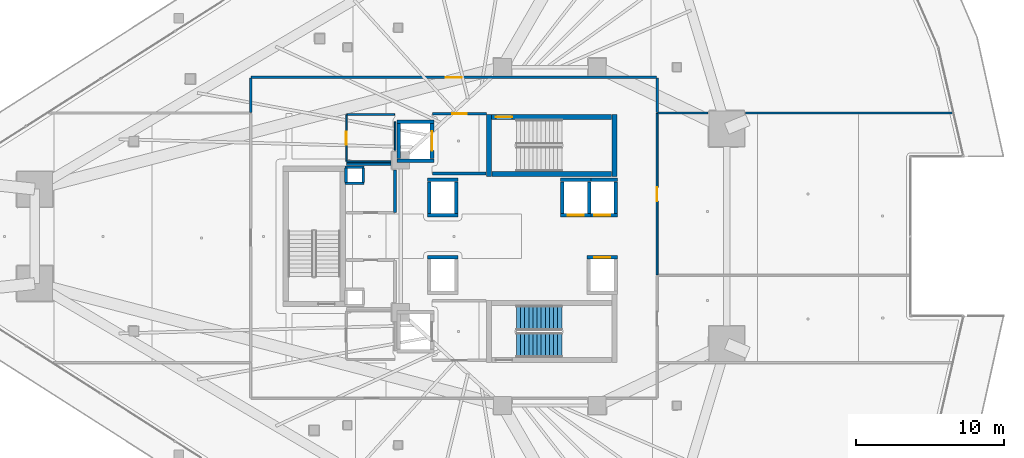
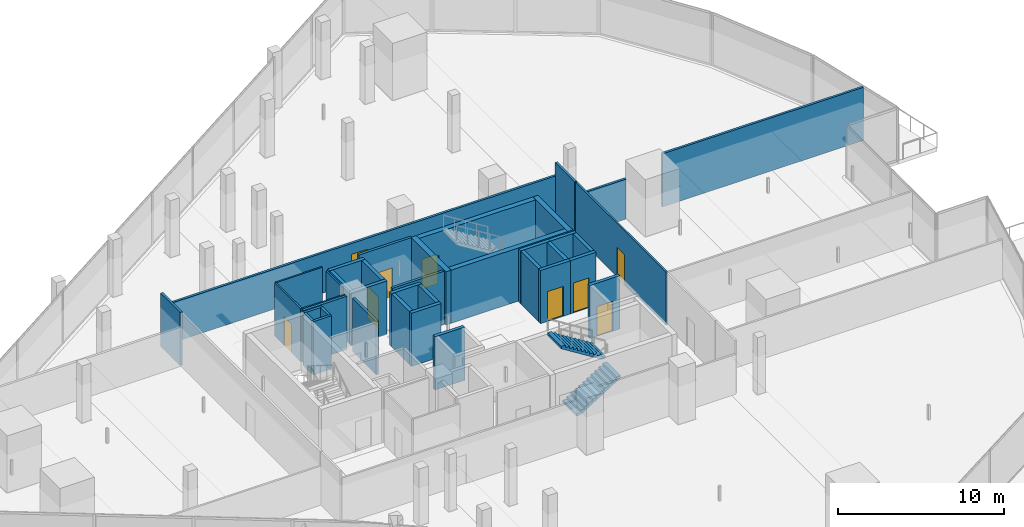
# One storey, part 30 of 42: 39 walls, 9 doors, 2 stair flights, 9 openings, 1 element without a shape of its own.
"""IFC4 building model written with IfcOpenShell, lengths in metres."""

from ifc_helpers import new_model, si_unit, direction, frame, frame_2d, origin, place, context, subcontext, project, spatial, polyline, rectangle, outline, extrude, material, layer, layer_set, type_object, element, fill, aggregate, save


model = new_model("IFC4")

# Units and contexts
model_context = context("Model", 3, precision=1e-05, world=origin(), true_north=direction((0.0, 1.0)))
body_context = subcontext(model_context, "Body", "Model", "MODEL_VIEW")
ifc_project = project(units=[si_unit("LENGTHUNIT", "METRE"), si_unit("AREAUNIT", "SQUARE_METRE"), si_unit("VOLUMEUNIT", "CUBIC_METRE"), si_unit("PLANEANGLEUNIT", "RADIAN"), si_unit("MASSUNIT", "GRAM", prefix="KILO")], contexts=[model_context])

# Site, building, storey
site_placement = place(None, origin())
site = spatial("IfcSite", under=ifc_project, at=site_placement, CompositionType="ELEMENT")
building_placement = place(site_placement, origin())
building = spatial("IfcBuilding", under=site, at=building_placement, Name="Qorvath Tower", CompositionType="ELEMENT")
storey_placement = place(building_placement, frame((0.0, 0.0, 32.39990234375)))
storey = spatial("IfcBuildingStorey", under=building, at=storey_placement, Name="L06", CompositionType="ELEMENT", Elevation=32.39990234375)

# Walls
ifc_material_1 = material(Name="Gypsum shaftliner on steel studs", Category="steel")
ifc_layer_1 = layer(ifc_material_1, 0.179931640625)
ifc_layer_set_1 = layer_set([ifc_layer_1], Name="FW-LOBBY")
wall_type_1 = type_object("IfcWallType", Name="FW-LOBBY", PredefinedType="PARTITIONING", material=ifc_layer_set_1)
for number, where, z_axis, x_axis, name in (
    (1, (-32.989990234375, 3.594970703125, 0.0), (0.0, 0.0, 1.0), (-1.0, 0.0, 0.0), "MEP Riser Shaft Enclosure Wall N-L06-S"),
    (2, (-34.260009765625, 4.675048828125, 0.0), (0.0, 0.0, 1.0), (1.0, 0.0, 0.0), "MEP Riser Shaft Enclosure Wall N-L06-N"),
):
    element("IfcWall", number, at=place(storey_placement, frame(where, z_axis=z_axis, x_axis=x_axis)), inside=storey, type_object=wall_type_1, Name=name, PredefinedType="PARTITIONING", context=body_context, shape_type="SweptSolid", body=[
        extrude(rectangle(XDim=1.27001953125, YDim=0.179931640625, at=frame_2d((0.635009765625, 0.0))), origin(), (0.0, 0.0, 1.0), 3.920166015625),
    ])
for number, where, z_axis, x_axis, name in (
    (3, (-34.205078125, 3.659912109375, 0.0), (0.0, 0.0, 1.0), (0.0, 1.0, 0.0), "MEP Riser Shaft Enclosure Wall N-L06-W"),
    (4, (-33.044921875, 4.610107421875, 0.0), (0.0, 0.0, 1.0), (0.0, -1.0, 0.0), "MEP Riser Shaft Enclosure Wall N-L06-E"),
):
    element("IfcWall", number, at=place(storey_placement, frame(where, z_axis=z_axis, x_axis=x_axis)), inside=storey, type_object=wall_type_1, Name=name, PredefinedType="PARTITIONING", context=body_context, shape_type="SweptSolid", body=[
        extrude(rectangle(XDim=0.9501953125, YDim=0.179931640625, at=frame_2d((0.47509765625, 0.0))), origin(), (0.0, 0.0, 1.0), 3.920166015625),
    ])
wall_1_placement = place(storey_placement, frame((-28.35498046875, 4.25, 0.0), z_axis=(0.0, 0.0, 1.0), x_axis=(1.0, 0.0, 0.0)))
element("IfcWall", 5, at=wall_1_placement, inside=storey, type_object=wall_type_1, Name="Interior Partition IW-T1-L06-001", PredefinedType="PARTITIONING", context=body_context, shape_type="SweptSolid", body=[
    extrude(rectangle(XDim=3.6220703125, YDim=0.179931640625, at=frame_2d((1.81103515625, 0.0))), origin(), (0.0, 0.0, 1.0), 3.920166015625),
])

# Wall, opening, door
wall_2_placement = place(storey_placement, frame((-24.68408203125, 8.300048828125, 0.0), z_axis=(0.0, 0.0, 1.0), x_axis=(-1.0, 0.0, 0.0)))
wall_2 = element("IfcWall", 6, at=wall_2_placement, inside=storey, type_object=wall_type_1, Name="Interior Partition IW-T1-L06-002", PredefinedType="PARTITIONING", context=body_context, shape_type="SweptSolid", body=[
    extrude(rectangle(XDim=3.6708984375, YDim=0.179931640625, at=frame_2d((1.83544921875, 0.0))), origin(), (0.0, 0.0, 1.0), 3.920166015625),
])
opening_1_placement = place(wall_2_placement, frame((1.33544921875, 0.0, 0.0)))
opening_1 = element("IfcOpeningElement", 7, at=opening_1_placement, cuts=wall_2, Name="Opening D-T1-L06-10", PredefinedType="OPENING", context=body_context, shape_type="SweptSolid", body=[
    extrude(rectangle(XDim=1.0, YDim=2.14990234375, at=frame_2d((0.5, 1.074951171875))), frame((0.0, 0.10009765625, 0.0), z_axis=(0.0, -1.0, 0.0), x_axis=(1.0, 0.0, 0.0)), (0.0, 0.0, 1.0), 0.199951171875),
])
ifc_material_2 = material(Name="Painted galvanised hollow metal", Category="steel")
door_type_1 = type_object("IfcDoorType", Name="FD-60", OperationType="NOTDEFINED", PredefinedType="DOOR", material=ifc_material_2)
door_1_placement = place(opening_1_placement, origin())
door_1 = element("IfcDoor", 8, at=door_1_placement, inside=storey, type_object=door_type_1, Name="Lobby Fire Service Elevator North Door D-T1-L06-10", OperationType="SINGLE_SWING_RIGHT", OverallHeight=2.14990234375, OverallWidth=1.0, PredefinedType="DOOR", context=body_context, shape_type="SweptSolid", body=[
    extrude(rectangle(XDim=1.0, YDim=2.14990234375, at=frame_2d((0.5, 1.074951171875))), frame((0.0, 0.02490234375, 0.0), z_axis=(0.0, -1.0, 0.0), x_axis=(1.0, 0.0, 0.0)), (0.0, 0.0, 1.0), 0.050048828125),
])
fill(opening_1, door_1)

# Walls
wall_3_placement = place(storey_placement, frame((-30.8798828125, 1.625, 0.0), z_axis=(0.0, 0.0, 1.0), x_axis=(0.0, 1.0, 0.0)))
element("IfcWall", 9, at=wall_3_placement, inside=storey, type_object=wall_type_1, Name="Interior Partition IW-T1-L06-014", PredefinedType="PARTITIONING", context=body_context, shape_type="SweptSolid", body=[
    extrude(rectangle(XDim=2.860107421875, YDim=0.179931640625, at=frame_2d((1.43017578125, 0.0))), origin(), (0.0, 0.0, 1.0), 3.920166015625),
])
wall_4_placement = place(storey_placement, frame((-31.1650390625, 4.89990234375, 0.0), z_axis=(0.0, 0.0, 1.0), x_axis=(-1.0, 0.0, 0.0)))
element("IfcWall", 10, at=wall_4_placement, inside=storey, type_object=wall_type_1, Name="Interior Partition IW-T1-L06-015", PredefinedType="PARTITIONING", context=body_context, shape_type="SweptSolid", body=[
    extrude(rectangle(XDim=2.98974609375, YDim=0.179931640625, at=frame_2d((1.494873046875, 0.0))), origin(), (0.0, 0.0, 1.0), 3.920166015625),
])
ifc_material_3 = material(Name="Double acoustic gypsum board on steel studs", Category="steel")
ifc_layer_2 = layer(ifc_material_3, 0.159912109375)
ifc_layer_set_2 = layer_set([ifc_layer_2], Name="IW-ACOUSTIC-160")
wall_type_2 = type_object("IfcWallType", Name="IW-ACOUSTIC-160", PredefinedType="PARTITIONING", material=ifc_layer_set_2)
wall_5_placement = place(storey_placement, frame((-40.657958984375, 10.733154296875, 0.0), z_axis=(0.0, 0.0, 1.0), x_axis=(0.0, -1.0, 0.0)))
element("IfcWall", 11, at=wall_5_placement, inside=storey, type_object=wall_type_2, Name="Interior Partition IW-T1-L06-020", PredefinedType="PARTITIONING", context=body_context, shape_type="SweptSolid", body=[
    extrude(rectangle(XDim=2.358154296875, YDim=0.159912109375, at=frame_2d((1.17919921875, 0.0))), origin(), (0.0, 0.0, 1.0), 3.920166015625),
])

# Wall, opening, door
wall_6_placement = place(storey_placement, frame((-40.633056640625, 10.758056640625, 0.0), z_axis=(0.0, 0.0, 1.0), x_axis=(1.0, 0.0, 0.0)))
wall_6 = element("IfcWall", 12, at=wall_6_placement, inside=storey, type_object=wall_type_2, Name="Interior Partition IW-T1-L06-021", PredefinedType="PARTITIONING", context=body_context, shape_type="SweptSolid", body=[
    extrude(rectangle(XDim=27.466064453125, YDim=0.159912109375, at=frame_2d((13.73291015625, 0.0))), origin(), (0.0, 0.0, 1.0), 2.95703125),
])
opening_2_placement = place(wall_6_placement, frame((13.18310546875, 0.0, 0.0)))
opening_2 = element("IfcOpeningElement", 13, at=opening_2_placement, cuts=wall_6, Name="Opening D-T1-L06-05", PredefinedType="OPENING", context=body_context, shape_type="SweptSolid", body=[
    extrude(rectangle(XDim=1.10009765625, YDim=2.14990234375, at=frame_2d((0.550048828125, 1.074951171875))), frame((0.0, 0.08984375, 0.0), z_axis=(0.0, -1.0, 0.0), x_axis=(1.0, 0.0, 0.0)), (0.0, 0.0, 1.0), 0.179931640625),
])
ifc_material_4 = material(Name="Anodised aluminium acoustic framed glass", Category="aluminium")
door_type_2 = type_object("IfcDoorType", Name="D-03", OperationType="NOTDEFINED", PredefinedType="DOOR", material=ifc_material_4)
door_2_placement = place(opening_2_placement, origin())
door_2 = element("IfcDoor", 14, at=door_2_placement, inside=storey, type_object=door_type_2, Name="L06-01 Enclosed Conference Suite Door D-T1-L06-05", OperationType="SINGLE_SWING_LEFT", OverallHeight=2.14990234375, OverallWidth=1.10009765625, PredefinedType="DOOR", context=body_context, shape_type="SweptSolid", body=[
    extrude(rectangle(XDim=1.10009765625, YDim=2.14990234375, at=frame_2d((0.550048828125, 1.074951171875))), frame((0.0, 0.02490234375, 0.0), z_axis=(0.0, -1.0, 0.0), x_axis=(1.0, 0.0, 0.0)), (0.0, 0.0, 1.0), 0.050048828125),
])
fill(opening_2, door_2)

# Walls
wall_7_placement = place(storey_placement, frame((-13.14208984375, 8.375, 0.0), z_axis=(0.0, 0.0, 1.0), x_axis=(0.0, 1.0, 0.0)))
element("IfcWall", 15, at=wall_7_placement, inside=storey, type_object=wall_type_2, Name="Interior Partition IW-T1-L06-022", PredefinedType="PARTITIONING", context=body_context, shape_type="SweptSolid", body=[
    extrude(rectangle(XDim=2.358154296875, YDim=0.159912109375, at=frame_2d((1.17919921875, 0.0))), origin(), (0.0, 0.0, 1.0), 3.920166015625),
])
wall_8_placement = place(storey_placement, frame((-13.1171875, 8.35009765625, 0.0), z_axis=(0.0, 0.0, 1.0), x_axis=(1.0, 0.0, 0.0)))
element("IfcWall", 16, at=wall_8_placement, inside=storey, type_object=wall_type_2, Name="Interior Partition IW-T1-L06-023", PredefinedType="PARTITIONING", context=body_context, shape_type="SweptSolid", body=[
    extrude(rectangle(XDim=3.421875, YDim=0.159912109375, at=frame_2d((1.7109375, 0.0))), origin(), (0.0, 0.0, 1.0), 2.95703125),
])
wall_9_placement = place(storey_placement, frame((-7.165283203125, 8.35009765625, 0.0), z_axis=(0.0, 0.0, 1.0), x_axis=(1.0, 0.0, 0.0)))
element("IfcWall", 17, at=wall_9_placement, inside=storey, type_object=wall_type_2, Name="Interior Partition IW-T1-L06-024", PredefinedType="PARTITIONING", context=body_context, shape_type="SweptSolid", body=[
    extrude(rectangle(XDim=14.010498046875, YDim=0.159912109375, at=frame_2d((7.00537109375, 0.0))), origin(), (0.0, 0.0, 1.0), 3.920166015625),
])

# Wall, opening, door
ifc_material_5 = material(Name="Gypsum board on metal studs with mineral wool", Category="gypsum")
ifc_layer_3 = layer(ifc_material_5, 0.125)
ifc_layer_set_3 = layer_set([ifc_layer_3], Name="IW-PART-125")
wall_type_3 = type_object("IfcWallType", Name="IW-PART-125", PredefinedType="PARTITIONING", material=ifc_layer_set_3)
wall_10_placement = place(storey_placement, frame((-13.14208984375, 8.31689453125, 0.0), z_axis=(0.0, 0.0, 1.0), x_axis=(0.0, -1.0, 0.0)))
wall_10 = element("IfcWall", 18, at=wall_10_placement, inside=storey, type_object=wall_type_3, Name="Interior Partition IW-T1-L06-032", PredefinedType="PARTITIONING", context=body_context, shape_type="SweptSolid", body=[
    extrude(rectangle(XDim=10.927001953125, YDim=0.125, at=frame_2d((5.46337890625, 0.0))), origin(), (0.0, 0.0, 1.0), 3.920166015625),
])
opening_3_placement = place(wall_10_placement, frame((4.988525390625, 0.0, 0.0)))
opening_3 = element("IfcOpeningElement", 19, at=opening_3_placement, cuts=wall_10, Name="Opening D-T1-L06-07", PredefinedType="OPENING", context=body_context, shape_type="SweptSolid", body=[
    extrude(rectangle(XDim=0.949951171875, YDim=2.14990234375, at=frame_2d((0.47509765625, 1.074951171875))), frame((0.0, 0.072509765625, 0.0), z_axis=(0.0, -1.0, 0.0), x_axis=(1.0, 0.0, 0.0)), (0.0, 0.0, 1.0), 0.14501953125),
])
ifc_material_6 = material(Name="Solid-core American white oak veneer", Category="wood")
door_type_3 = type_object("IfcDoorType", Name="D-01", OperationType="NOTDEFINED", PredefinedType="DOOR", material=ifc_material_6)
door_3_placement = place(opening_3_placement, origin())
door_3 = element("IfcDoor", 20, at=door_3_placement, inside=storey, type_object=door_type_3, Name="L06-03 Staff Refreshment Pantry and Coffee Bar Door D-T1-L06-07", OperationType="SINGLE_SWING_LEFT", OverallHeight=2.14990234375, OverallWidth=0.949951171875, PredefinedType="DOOR", context=body_context, shape_type="SweptSolid", body=[
    extrude(rectangle(XDim=0.949951171875, YDim=2.14990234375, at=frame_2d((0.47509765625, 1.074951171875))), frame((0.0, 0.02490234375, 0.0), z_axis=(0.0, -1.0, 0.0), x_axis=(1.0, 0.0, 0.0)), (0.0, 0.0, 1.0), 0.050048828125),
])
fill(opening_3, door_3)

ifc_material_7 = material(Name="Moisture-resistant cement board on metal studs", Category="gypsum")
ifc_layer_4 = layer(ifc_material_7, 0.110107421875)
ifc_layer_set_4 = layer_set([ifc_layer_4], Name="IW-WC-110")
wall_type_4 = type_object("IfcWallType", Name="IW-WC-110", PredefinedType="PARTITIONING", material=ifc_layer_set_4)
wall_11_placement = place(storey_placement, frame((-34.179931640625, 8.22509765625, 0.0), z_axis=(0.0, 0.0, 1.0), x_axis=(0.0, -1.0, 0.0)))
wall_11 = element("IfcWall", 21, at=wall_11_placement, inside=storey, type_object=wall_type_4, Name="Interior Partition IW-T1-L06-005", PredefinedType="PARTITIONING", context=body_context, shape_type="SweptSolid", body=[
    extrude(rectangle(XDim=3.150146484375, YDim=0.110107421875, at=frame_2d((1.5751953125, 0.0))), origin(), (0.0, 0.0, 1.0), 3.920166015625),
])
opening_4_placement = place(wall_11_placement, frame((1.135009765625, 0.0, 0.0)))
opening_4 = element("IfcOpeningElement", 22, at=opening_4_placement, cuts=wall_11, Name="Opening D-T1-L06-01", PredefinedType="OPENING", context=body_context, shape_type="SweptSolid", body=[
    extrude(rectangle(XDim=0.8798828125, YDim=2.10009765625, at=frame_2d((0.43994140625, 1.050048828125))), frame((0.0, 0.06494140625, 0.0), z_axis=(0.0, -1.0, 0.0), x_axis=(1.0, 0.0, 0.0)), (0.0, 0.0, 1.0), 0.130126953125),
])
ifc_material_8 = material(Name="Solid-core oak with acoustic drop seal", Category="wood")
door_type_4 = type_object("IfcDoorType", Name="D-02", OperationType="NOTDEFINED", PredefinedType="DOOR", material=ifc_material_8)
door_4_placement = place(opening_4_placement, origin())
door_4 = element("IfcDoor", 23, at=door_4_placement, inside=storey, type_object=door_type_4, Name="WC All-Gender North L06 Door D-T1-L06-01", OperationType="SINGLE_SWING_LEFT", OverallHeight=2.10009765625, OverallWidth=0.8798828125, PredefinedType="DOOR", context=body_context, shape_type="SweptSolid", body=[
    extrude(rectangle(XDim=0.8798828125, YDim=2.10009765625, at=frame_2d((0.43994140625, 1.050048828125))), frame((0.0, 0.02490234375, 0.0), z_axis=(0.0, -1.0, 0.0), x_axis=(1.0, 0.0, 0.0)), (0.0, 0.0, 1.0), 0.050048828125),
])
fill(opening_4, door_4)

# Walls
wall_12_placement = place(storey_placement, frame((-34.15478515625, 5.050048828125, 0.0), z_axis=(0.0, 0.0, 1.0), x_axis=(1.0, 0.0, 0.0)))
element("IfcWall", 24, at=wall_12_placement, inside=storey, type_object=wall_type_4, Name="Interior Partition IW-T1-L06-006", PredefinedType="PARTITIONING", context=body_context, shape_type="SweptSolid", body=[
    extrude(rectangle(XDim=2.98974609375, YDim=0.110107421875, at=frame_2d((1.494873046875, 0.0))), origin(), (0.0, 0.0, 1.0), 3.920166015625),
])
wall_13_placement = place(storey_placement, frame((-30.8798828125, 5.81494140625, 0.0), z_axis=(0.0, 0.0, 1.0), x_axis=(0.0, 1.0, 0.0)))
element("IfcWall", 25, at=wall_13_placement, inside=storey, type_object=wall_type_4, Name="Interior Partition IW-T1-L06-007", PredefinedType="PARTITIONING", context=body_context, shape_type="SweptSolid", body=[
    extrude(rectangle(XDim=1.927978515625, YDim=0.110107421875, at=frame_2d((0.9638671875, 0.0))), origin(), (0.0, 0.0, 1.0), 3.920166015625),
])
wall_14_placement = place(storey_placement, frame((-30.90478515625, 8.25, 0.0), z_axis=(0.0, 0.0, 1.0), x_axis=(-1.0, 0.0, 0.0)))
element("IfcWall", 26, at=wall_14_placement, inside=storey, type_object=wall_type_4, Name="Interior Partition IW-T1-L06-008", PredefinedType="PARTITIONING", context=body_context, shape_type="SweptSolid", body=[
    extrude(rectangle(XDim=3.25, YDim=0.110107421875, at=frame_2d((1.625, 0.0))), origin(), (0.0, 0.0, 1.0), 3.920166015625),
])
ifc_material_9 = material(Name="Concrete C60/75", Category="concrete")
ifc_layer_5 = layer(ifc_material_9, 0.260009765625)
ifc_layer_set_5 = layer_set([ifc_layer_5], Name="SW-SHAFT")
wall_type_5 = type_object("IfcWallType", Name="SW-SHAFT", PredefinedType="SHEAR", material=ifc_layer_set_5)
for number, where, z_axis, x_axis, name in (
    (27, (-28.260009765625, 5.1298828125, 0.0), (0.0, 0.0, 1.0), (-1.0, 0.0, 0.0), "Hoistway Wall FSAE-1 L06 S"),
    (28, (-30.739990234375, 7.77001953125, 0.0), (0.0, 0.0, 1.0), (1.0, 0.0, 0.0), "Hoistway Wall FSAE-1 L06 N"),
):
    element("IfcWall", number, at=place(storey_placement, frame(where, z_axis=z_axis, x_axis=x_axis)), inside=storey, type_object=wall_type_5, Name=name, PredefinedType="SHEAR", context=body_context, shape_type="SweptSolid", body=[
        extrude(rectangle(XDim=2.47998046875, YDim=0.239990234375, at=frame_2d((1.239990234375, 0.0))), origin(), (0.0, 0.0, 1.0), 3.920166015625),
    ])
wall_15_placement = place(storey_placement, frame((-30.6201171875, 5.261962890625, 0.0), z_axis=(0.0, 0.0, 1.0), x_axis=(0.0, 1.0, 0.0)))
element("IfcWall", 29, at=wall_15_placement, inside=storey, type_object=wall_type_5, Name="Hoistway Wall FSAE-1 L06 W", PredefinedType="SHEAR", context=body_context, shape_type="SweptSolid", body=[
    extrude(rectangle(XDim=2.3759765625, YDim=0.239990234375, at=frame_2d((1.18798828125, 0.0))), origin(), (0.0, 0.0, 1.0), 3.920166015625),
])

# Wall, opening, door
wall_16_placement = place(storey_placement, frame((-28.3798828125, 7.637939453125, 0.0), z_axis=(0.0, 0.0, 1.0), x_axis=(0.0, -1.0, 0.0)))
wall_16 = element("IfcWall", 30, at=wall_16_placement, inside=storey, type_object=wall_type_5, Name="Hoistway Wall FSAE-1 L06 E", PredefinedType="SHEAR", context=body_context, shape_type="SweptSolid", body=[
    extrude(rectangle(XDim=2.3759765625, YDim=0.239990234375, at=frame_2d((1.18798828125, 0.0))), origin(), (0.0, 0.0, 1.0), 3.920166015625),
])
opening_5_placement = place(wall_16_placement, frame((0.537841796875, 0.0, 0.0)))
opening_5 = element("IfcOpeningElement", 31, at=opening_5_placement, cuts=wall_16, Name="Opening LD-FSAE-1-L06", PredefinedType="OPENING", context=body_context, shape_type="SweptSolid", body=[
    extrude(rectangle(XDim=1.300048828125, YDim=2.300048828125, at=frame_2d((0.64990234375, 1.14990234375))), frame((0.0, 0.1298828125, 0.0), z_axis=(0.0, -1.0, 0.0), x_axis=(1.0, 0.0, 0.0)), (0.0, 0.0, 1.0), 0.260009765625),
])
ifc_material_10 = material(Name="Brushed stainless steel AISI 316", Category="steel")
door_type_5 = type_object("IfcDoorType", Name="LD-02", OperationType="NOTDEFINED", PredefinedType="DOOR", material=ifc_material_10)
door_5_placement = place(opening_5_placement, origin())
door_5 = element("IfcDoor", 32, at=door_5_placement, inside=storey, type_object=door_type_5, Name="Elevator Landing Sliding Door LD-FSAE-1-L06", OperationType="DOUBLE_DOOR_SLIDING", OverallHeight=2.300048828125, OverallWidth=1.300048828125, PredefinedType="DOOR", context=body_context, shape_type="SweptSolid", body=[
    extrude(rectangle(XDim=1.300048828125, YDim=2.300048828125, at=frame_2d((0.64990234375, 1.14990234375))), frame((0.0, 0.02490234375, 0.0), z_axis=(0.0, -1.0, 0.0), x_axis=(1.0, 0.0, 0.0)), (0.0, 0.0, 1.0), 0.050048828125),
])
fill(opening_5, door_5)

# Walls
for number, where, z_axis, x_axis, name in (
    (33, (-26.610107421875, 1.429931640625, 0.0), (0.0, 0.0, 1.0), (-1.0, 0.0, 0.0), "Hoistway Wall PS-1 L06 S"),
    (34, (-28.68994140625, 3.820068359375, 0.0), (0.0, 0.0, 1.0), (1.0, 0.0, 0.0), "Hoistway Wall PS-1 L06 N"),
):
    element("IfcWall", number, at=place(storey_placement, frame(where, z_axis=z_axis, x_axis=x_axis)), inside=storey, type_object=wall_type_5, Name=name, PredefinedType="SHEAR", context=body_context, shape_type="SweptSolid", body=[
        extrude(rectangle(XDim=2.079833984375, YDim=0.239990234375, at=frame_2d((1.0400390625, 0.0))), origin(), (0.0, 0.0, 1.0), 3.920166015625),
    ])
for number, where, z_axis, x_axis, name in (
    (35, (-28.570068359375, 1.56201171875, 0.0), (0.0, 0.0, 1.0), (0.0, 1.0, 0.0), "Hoistway Wall PS-1 L06 W"),
    (36, (-26.72998046875, 3.68798828125, 0.0), (0.0, 0.0, 1.0), (0.0, -1.0, 0.0), "Hoistway Wall PS-1 L06 E"),
):
    element("IfcWall", number, at=place(storey_placement, frame(where, z_axis=z_axis, x_axis=x_axis)), inside=storey, type_object=wall_type_5, Name=name, PredefinedType="SHEAR", context=body_context, shape_type="SweptSolid", body=[
        extrude(rectangle(XDim=2.1259765625, YDim=0.239990234375, at=frame_2d((1.06298828125, 0.0))), origin(), (0.0, 0.0, 1.0), 3.920166015625),
    ])

# Wall, opening, door
wall_17_placement = place(storey_placement, frame((-17.610107421875, 1.429931640625, 0.0), z_axis=(0.0, 0.0, 1.0), x_axis=(-1.0, 0.0, 0.0)))
wall_17 = element("IfcWall", 37, at=wall_17_placement, inside=storey, type_object=wall_type_5, Name="Hoistway Wall PL-1 L06 S", PredefinedType="SHEAR", context=body_context, shape_type="SweptSolid", body=[
    extrude(rectangle(XDim=2.079833984375, YDim=0.239990234375, at=frame_2d((1.0400390625, 0.0))), origin(), (0.0, 0.0, 1.0), 3.920166015625),
])
opening_6_placement = place(wall_17_placement, frame((0.48974609375, 0.0, 0.0)))
opening_6 = element("IfcOpeningElement", 38, at=opening_6_placement, cuts=wall_17, Name="Opening LD-PL-1-L06", PredefinedType="OPENING", context=body_context, shape_type="SweptSolid", body=[
    extrude(rectangle(XDim=1.10009765625, YDim=2.199951171875, at=frame_2d((0.550048828125, 1.10009765625))), frame((0.0, 0.1298828125, 0.0), z_axis=(0.0, -1.0, 0.0), x_axis=(1.0, 0.0, 0.0)), (0.0, 0.0, 1.0), 0.260009765625),
])
ifc_material_11 = material(Name="Brushed stainless steel AISI 316", Category="steel")
door_type_6 = type_object("IfcDoorType", Name="LD-01", OperationType="NOTDEFINED", PredefinedType="DOOR", material=ifc_material_11)
door_6_placement = place(opening_6_placement, origin())
door_6 = element("IfcDoor", 39, at=door_6_placement, inside=storey, type_object=door_type_6, Name="Elevator Landing Sliding Door LD-PL-1-L06", OperationType="DOUBLE_DOOR_SLIDING", OverallHeight=2.199951171875, OverallWidth=1.10009765625, PredefinedType="DOOR", context=body_context, shape_type="SweptSolid", body=[
    extrude(rectangle(XDim=1.10009765625, YDim=2.199951171875, at=frame_2d((0.550048828125, 1.10009765625))), frame((0.0, 0.02490234375, 0.0), z_axis=(0.0, -1.0, 0.0), x_axis=(1.0, 0.0, 0.0)), (0.0, 0.0, 1.0), 0.050048828125),
])
fill(opening_6, door_6)

# Walls
wall_18_placement = place(storey_placement, frame((-19.68994140625, 3.820068359375, 0.0), z_axis=(0.0, 0.0, 1.0), x_axis=(1.0, 0.0, 0.0)))
element("IfcWall", 40, at=wall_18_placement, inside=storey, type_object=wall_type_5, Name="Hoistway Wall PL-1 L06 N", PredefinedType="SHEAR", context=body_context, shape_type="SweptSolid", body=[
    extrude(rectangle(XDim=2.079833984375, YDim=0.239990234375, at=frame_2d((1.0400390625, 0.0))), origin(), (0.0, 0.0, 1.0), 3.920166015625),
])
for number, where, z_axis, x_axis, name in (
    (41, (-19.570068359375, 1.56201171875, 0.0), (0.0, 0.0, 1.0), (0.0, 1.0, 0.0), "Hoistway Wall PL-1 L06 W"),
    (42, (-17.72998046875, 3.68798828125, 0.0), (0.0, 0.0, 1.0), (0.0, -1.0, 0.0), "Hoistway Wall PL-1 L06 E"),
):
    element("IfcWall", number, at=place(storey_placement, frame(where, z_axis=z_axis, x_axis=x_axis)), inside=storey, type_object=wall_type_5, Name=name, PredefinedType="SHEAR", context=body_context, shape_type="SweptSolid", body=[
        extrude(rectangle(XDim=2.1259765625, YDim=0.239990234375, at=frame_2d((1.06298828125, 0.0))), origin(), (0.0, 0.0, 1.0), 3.920166015625),
    ])

# Wall, opening, door
wall_19_placement = place(storey_placement, frame((-15.81005859375, 1.429931640625, 0.0), z_axis=(0.0, 0.0, 1.0), x_axis=(-1.0, 0.0, 0.0)))
wall_19 = element("IfcWall", 43, at=wall_19_placement, inside=storey, type_object=wall_type_5, Name="Hoistway Wall PL-3 L06 S", PredefinedType="SHEAR", context=body_context, shape_type="SweptSolid", body=[
    extrude(rectangle(XDim=1.800048828125, YDim=0.239990234375, at=frame_2d((0.89990234375, 0.0))), origin(), (0.0, 0.0, 1.0), 3.920166015625),
])
opening_7_placement = place(wall_19_placement, frame((0.489990234375, 0.0, 0.0)))
opening_7 = element("IfcOpeningElement", 44, at=opening_7_placement, cuts=wall_19, Name="Opening LD-PL-3-L06", PredefinedType="OPENING", context=body_context, shape_type="SweptSolid", body=[
    extrude(rectangle(XDim=1.10009765625, YDim=2.199951171875, at=frame_2d((0.550048828125, 1.10009765625))), frame((0.0, 0.1298828125, 0.0), z_axis=(0.0, -1.0, 0.0), x_axis=(1.0, 0.0, 0.0)), (0.0, 0.0, 1.0), 0.260009765625),
])
door_7_placement = place(opening_7_placement, origin())
door_7 = element("IfcDoor", 45, at=door_7_placement, inside=storey, type_object=door_type_6, Name="Elevator Landing Sliding Door LD-PL-3-L06", OperationType="DOUBLE_DOOR_SLIDING", OverallHeight=2.199951171875, OverallWidth=1.10009765625, PredefinedType="DOOR", context=body_context, shape_type="SweptSolid", body=[
    extrude(rectangle(XDim=1.10009765625, YDim=2.199951171875, at=frame_2d((0.550048828125, 1.10009765625))), frame((0.0, 0.02490234375, 0.0), z_axis=(0.0, -1.0, 0.0), x_axis=(1.0, 0.0, 0.0)), (0.0, 0.0, 1.0), 0.050048828125),
])
fill(opening_7, door_7)

# Walls
wall_20_placement = place(storey_placement, frame((-17.610107421875, 3.820068359375, 0.0), z_axis=(0.0, 0.0, 1.0), x_axis=(1.0, 0.0, 0.0)))
element("IfcWall", 46, at=wall_20_placement, inside=storey, type_object=wall_type_5, Name="Hoistway Wall PL-3 L06 N", PredefinedType="SHEAR", context=body_context, shape_type="SweptSolid", body=[
    extrude(rectangle(XDim=1.800048828125, YDim=0.239990234375, at=frame_2d((0.89990234375, 0.0))), origin(), (0.0, 0.0, 1.0), 3.920166015625),
])
wall_21_placement = place(storey_placement, frame((-15.929931640625, 3.68798828125, 0.0), z_axis=(0.0, 0.0, 1.0), x_axis=(0.0, -1.0, 0.0)))
element("IfcWall", 47, at=wall_21_placement, inside=storey, type_object=wall_type_5, Name="Hoistway Wall PL-3 L06 E", PredefinedType="SHEAR", context=body_context, shape_type="SweptSolid", body=[
    extrude(rectangle(XDim=2.1259765625, YDim=0.239990234375, at=frame_2d((1.06298828125, 0.0))), origin(), (0.0, 0.0, 1.0), 3.920166015625),
])
wall_22_placement = place(storey_placement, frame((-28.68994140625, -1.429931640625, 0.0), z_axis=(0.0, 0.0, 1.0), x_axis=(1.0, 0.0, 0.0)))
element("IfcWall", 48, at=wall_22_placement, inside=storey, type_object=wall_type_5, Name="Hoistway Wall PS-2 L06 N", PredefinedType="SHEAR", context=body_context, shape_type="SweptSolid", body=[
    extrude(rectangle(XDim=2.079833984375, YDim=0.239990234375, at=frame_2d((1.0400390625, 0.0))), origin(), (0.0, 0.0, 1.0), 3.920166015625),
])

# Wall, opening, door
wall_23_placement = place(storey_placement, frame((-17.889892578125, -1.429931640625, 0.0), z_axis=(0.0, 0.0, 1.0), x_axis=(1.0, 0.0, 0.0)))
wall_23 = element("IfcWall", 49, at=wall_23_placement, inside=storey, type_object=wall_type_5, Name="Hoistway Wall PL-2 L06 N", PredefinedType="SHEAR", context=body_context, shape_type="SweptSolid", body=[
    extrude(rectangle(XDim=2.079833984375, YDim=0.239990234375, at=frame_2d((1.0400390625, 0.0))), origin(), (0.0, 0.0, 1.0), 3.920166015625),
])
opening_8_placement = place(wall_23_placement, frame((0.48974609375, 0.0, 0.0)))
opening_8 = element("IfcOpeningElement", 50, at=opening_8_placement, cuts=wall_23, Name="Opening LD-PL-2-L06", PredefinedType="OPENING", context=body_context, shape_type="SweptSolid", body=[
    extrude(rectangle(XDim=1.10009765625, YDim=2.199951171875, at=frame_2d((0.550048828125, 1.10009765625))), frame((0.0, 0.1298828125, 0.0), z_axis=(0.0, -1.0, 0.0), x_axis=(1.0, 0.0, 0.0)), (0.0, 0.0, 1.0), 0.260009765625),
])
door_8_placement = place(opening_8_placement, origin())
door_8 = element("IfcDoor", 51, at=door_8_placement, inside=storey, type_object=door_type_6, Name="Elevator Landing Sliding Door LD-PL-2-L06", OperationType="DOUBLE_DOOR_SLIDING", OverallHeight=2.199951171875, OverallWidth=1.10009765625, PredefinedType="DOOR", context=body_context, shape_type="SweptSolid", body=[
    extrude(rectangle(XDim=1.10009765625, YDim=2.199951171875, at=frame_2d((0.550048828125, 1.10009765625))), frame((0.0, 0.02490234375, 0.0), z_axis=(0.0, -1.0, 0.0), x_axis=(1.0, 0.0, 0.0)), (0.0, 0.0, 1.0), 0.050048828125),
])
fill(opening_8, door_8)

# Walls
ifc_material_12 = material(Name="Concrete C60/75", Category="concrete")
ifc_layer_6 = layer(ifc_material_12, 0.35009765625)
ifc_layer_set_6 = layer_set([ifc_layer_6], Name="SW-STAIR")
wall_type_6 = type_object("IfcWallType", Name="SW-STAIR", PredefinedType="SHEAR", material=ifc_layer_set_6)
for number, where, z_axis, x_axis, name in (
    (52, (-24.52490234375, 8.260009765625, 0.0), (0.0, 0.0, 1.0), (0.0, -1.0, 0.0), "Stair TS1 Shear Wall L06 NEAR"),
    (53, (-16.02490234375, 4.050048828125, 0.0), (0.0, 0.0, 1.0), (0.0, 1.0, 0.0), "Stair TS1 Shear Wall L06 FAR"),
):
    element("IfcWall", number, at=place(storey_placement, frame(where, z_axis=z_axis, x_axis=x_axis)), inside=storey, type_object=wall_type_6, Name=name, PredefinedType="SHEAR", context=body_context, shape_type="SweptSolid", body=[
        extrude(rectangle(XDim=4.2099609375, YDim=0.35009765625, at=frame_2d((2.10498046875, 0.0))), origin(), (0.0, 0.0, 1.0), 3.920166015625),
    ])
wall_24_placement = place(storey_placement, frame((-24.3349609375, 4.22509765625, 0.0), z_axis=(0.0, 0.0, 1.0), x_axis=(1.0, 0.0, 0.0)))
element("IfcWall", 54, at=wall_24_placement, inside=storey, type_object=wall_type_6, Name="Stair TS1 Shear Wall L06 LEFT", PredefinedType="SHEAR", context=body_context, shape_type="SweptSolid", body=[
    extrude(rectangle(XDim=8.119873046875, YDim=0.35009765625, at=frame_2d((4.06005859375, 0.0))), origin(), (0.0, 0.0, 1.0), 3.920166015625),
])

# Wall, opening, door
wall_25_placement = place(storey_placement, frame((-16.215087890625, 8.0849609375, 0.0), z_axis=(0.0, 0.0, 1.0), x_axis=(-1.0, 0.0, 0.0)))
wall_25 = element("IfcWall", 55, at=wall_25_placement, inside=storey, type_object=wall_type_6, Name="Stair TS1 Shear Wall L06 RIGHT", PredefinedType="SHEAR", context=body_context, shape_type="SweptSolid", body=[
    extrude(rectangle(XDim=8.119873046875, YDim=0.35009765625, at=frame_2d((4.06005859375, 0.0))), origin(), (0.0, 0.0, 1.0), 3.920166015625),
])
opening_9_placement = place(wall_25_placement, frame((6.739990234375, 0.0, 0.0)))
opening_9 = element("IfcOpeningElement", 56, at=opening_9_placement, cuts=wall_25, Name="Opening D-TS1-L06", PredefinedType="OPENING", context=body_context, shape_type="SweptSolid", body=[
    extrude(rectangle(XDim=1.10009765625, YDim=2.199951171875, at=frame_2d((0.550048828125, 1.10009765625))), frame((0.0, 0.18505859375, 0.0), z_axis=(0.0, -1.0, 0.0), x_axis=(1.0, 0.0, 0.0)), (0.0, 0.0, 1.0), 0.3701171875),
])
ifc_material_13 = material(Name="Painted galvanised hollow metal", Category="steel")
door_type_7 = type_object("IfcDoorType", Name="FD-90", OperationType="NOTDEFINED", PredefinedType="DOOR", material=ifc_material_13)
door_9_placement = place(opening_9_placement, origin())
door_9 = element("IfcDoor", 57, at=door_9_placement, inside=storey, type_object=door_type_7, Name="Stair TS1 Fire Door L06", OperationType="SINGLE_SWING_LEFT", OverallHeight=2.199951171875, OverallWidth=1.10009765625, PredefinedType="DOOR", context=body_context, shape_type="SweptSolid", body=[
    extrude(rectangle(XDim=1.10009765625, YDim=2.199951171875, at=frame_2d((0.550048828125, 1.10009765625))), frame((0.0, 0.02490234375, 0.0), z_axis=(0.0, -1.0, 0.0), x_axis=(1.0, 0.0, 0.0)), (0.0, 0.0, 1.0), 0.050048828125),
])
fill(opening_9, door_9)

# Stair, stair flights
ifc_material_14 = material(Name="Concrete C50/60", Category="concrete")
stair_type = type_object("IfcStairType", Name="ST-H420", PredefinedType="HALF_TURN_STAIR", material=ifc_material_14)
stair_placement = place(storey_placement, origin())
stair = element("IfcStair", 58, at=stair_placement, inside=storey, type_object=stair_type, Name="L06 Tower Exit Stair 2", PredefinedType="HALF_TURN_STAIR")
ifc_material_15 = material(Name="Concrete C50/60", Category="concrete")
ifc_layer_7 = layer(ifc_material_15, 0.14990234375)
ifc_layer_set_7 = layer_set([ifc_layer_7], Name="SF-H420")
stair_flight_type = type_object("IfcStairFlightType", Name="SF-H420", PredefinedType="STRAIGHT", material=ifc_layer_set_7)
stair_flight_1_placement = place(storey_placement, frame((-22.669921875, -7.360107421875, 0.0), z_axis=(0.0, 0.0, 1.0), x_axis=(1.0, 0.0, 0.0)))
stair_flight_1 = element("IfcStairFlight", 59, at=stair_flight_1_placement, type_object=stair_flight_type, Name="TS2 flight 1", NumberOfRisers=12, NumberOfTreads=11, PredefinedType="STRAIGHT", RiserHeight=0.175, TreadLength=0.28, context=body_context, shape_type="SweptSolid", body=[
    extrude(outline(polyline([(0.0, 0.0), (0.0, 0.175048828125), (0.280029296875, 0.175048828125), (0.280029296875, 0.35009765625), (0.56005859375, 0.35009765625), (0.56005859375, 0.52490234375), (0.840087890625, 0.52490234375), (0.840087890625, 0.699951171875), (1.1201171875, 0.699951171875), (1.1201171875, 0.875), (1.39990234375, 0.875), (1.39990234375, 1.050048828125), (1.679931640625, 1.050048828125), (1.679931640625, 1.22509765625), (1.9599609375, 1.22509765625), (1.9599609375, 1.39990234375), (2.239990234375, 1.39990234375), (2.239990234375, 1.574951171875), (2.52001953125, 1.574951171875), (2.52001953125, 1.75), (2.800048828125, 1.75), (2.800048828125, 1.925048828125), (3.080078125, 1.925048828125), (3.080078125, 2.10009765625), (3.080078125, 1.748291015625), (0.28271484375, 0.0), (0.0, 0.0)])), frame((0.0, 0.83984375, 0.0), z_axis=(0.0, -1.0, 0.0), x_axis=(1.0, 0.0, 0.0)), (0.0, 0.0, 1.0), 1.679931640625),
])
stair_flight_2_placement = place(storey_placement, frame((-19.590087890625, -5.530029296875, 2.10009765625), z_axis=(0.0, 0.0, 1.0), x_axis=(-1.0, 0.0, 0.0)))
stair_flight_2 = element("IfcStairFlight", 60, at=stair_flight_2_placement, type_object=stair_flight_type, Name="TS2 flight 2", NumberOfRisers=12, NumberOfTreads=11, PredefinedType="STRAIGHT", RiserHeight=0.175, TreadLength=0.28, context=body_context, shape_type="SweptSolid", body=[
    extrude(outline(polyline([(0.0, 0.0), (0.0, 0.175048828125), (0.280029296875, 0.175048828125), (0.280029296875, 0.35009765625), (0.56005859375, 0.35009765625), (0.56005859375, 0.52490234375), (0.840087890625, 0.52490234375), (0.840087890625, 0.699951171875), (1.1201171875, 0.699951171875), (1.1201171875, 0.875), (1.39990234375, 0.875), (1.39990234375, 1.050048828125), (1.679931640625, 1.050048828125), (1.679931640625, 1.22509765625), (1.9599609375, 1.22509765625), (1.9599609375, 1.39990234375), (2.239990234375, 1.39990234375), (2.239990234375, 1.574951171875), (2.52001953125, 1.574951171875), (2.52001953125, 1.75), (2.800048828125, 1.75), (2.800048828125, 1.925048828125), (3.080078125, 1.925048828125), (3.080078125, 2.10009765625), (3.080078125, 1.748291015625), (0.28271484375, 0.0), (0.0, 0.0)])), frame((0.0, 0.83984375, 0.0), z_axis=(0.0, -1.0, 0.0), x_axis=(1.0, 0.0, 0.0)), (0.0, 0.0, 1.0), 1.679931640625),
])
aggregate(stair, [stair_flight_1, stair_flight_2])

save(model, "model.ifc")
